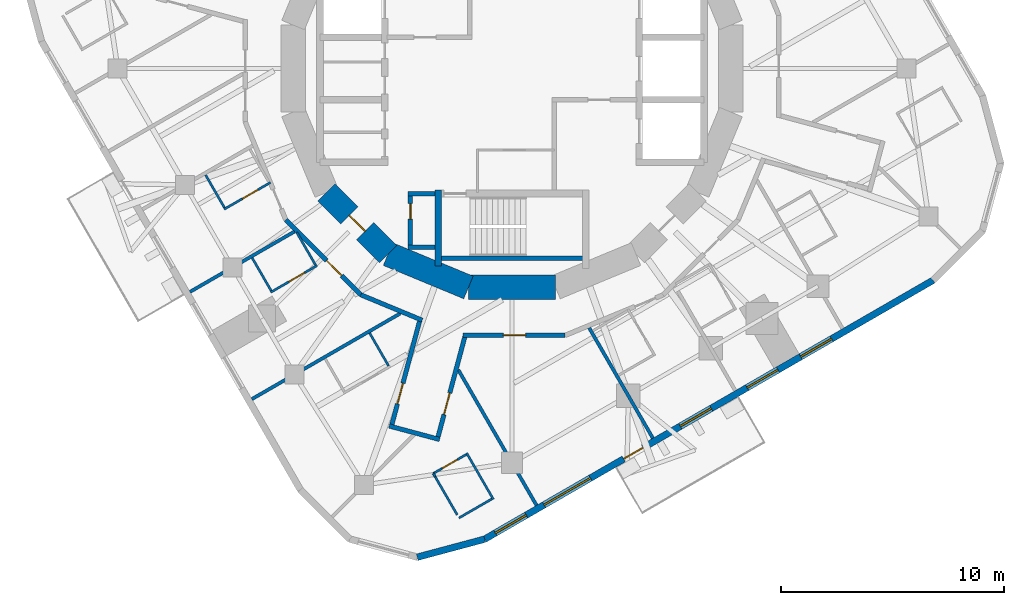
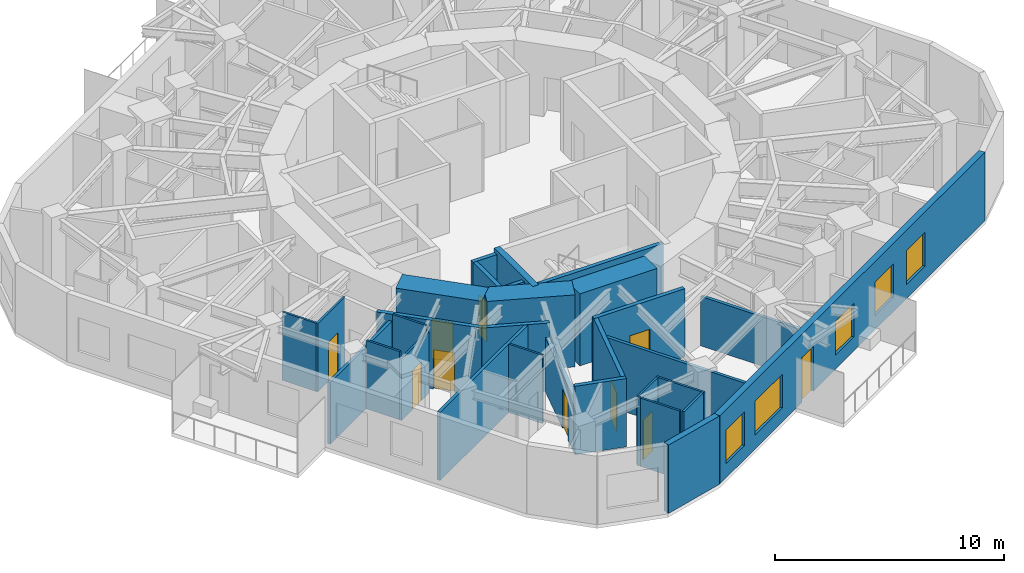
# One storey, part 4 of 11: 31 walls, 10 doors, 5 windows, 15 openings.
"""IFC4 building model written with IfcOpenShell, lengths in metres."""

from ifc_helpers import new_model, si_unit, direction, frame, frame_2d, origin, place, context, subcontext, project, spatial, rectangle, extrude, material, layer, layer_set, type_object, element, fill, save


model = new_model("IFC4")

# Units and contexts
model_context = context("Model", 3, precision=1e-05, world=origin(), true_north=direction((0.0, 1.0)))
body_context = subcontext(model_context, "Body", "Model", "MODEL_VIEW")
ifc_project = project(units=[si_unit("LENGTHUNIT", "METRE"), si_unit("AREAUNIT", "SQUARE_METRE"), si_unit("VOLUMEUNIT", "CUBIC_METRE"), si_unit("PLANEANGLEUNIT", "RADIAN"), si_unit("MASSUNIT", "GRAM", prefix="KILO")], contexts=[model_context])

# Site, building, storey
site_placement = place(None, origin())
site = spatial("IfcSite", under=ifc_project, at=site_placement, CompositionType="ELEMENT")
building_placement = place(site_placement, origin())
building = spatial("IfcBuilding", under=site, at=building_placement, Name="Nakasero Lantern House", CompositionType="ELEMENT")
storey_placement = place(building_placement, frame((0.0, 0.0, 250.050048828125)))
storey = spatial("IfcBuildingStorey", under=building, at=storey_placement, Name="L61", CompositionType="ELEMENT", Elevation=250.050048828125)

# Wall
ifc_material_1 = material(Name="Concrete C50/60", Category="concrete")
ifc_layer_1 = layer(ifc_material_1, 0.300048828125)
ifc_layer_set_1 = layer_set([ifc_layer_1], Name="Core inner wall 300")
wall_type_1 = type_object("IfcWallType", Name="Core inner wall 300", PredefinedType="SHEAR", material=ifc_layer_set_1)
wall_1_placement = place(storey_placement, frame((-3.300048828125, -5.449951171875, 0.0), z_axis=(0.0, 0.0, 1.0), x_axis=(0.0, -1.0, 0.0)))
element("IfcWall", 1, at=wall_1_placement, inside=storey, type_object=wall_type_1, Name="Core inner wall L61 SSW", PredefinedType="SHEAR", context=body_context, shape_type="SweptSolid", body=[
    extrude(rectangle(XDim=3.400146484375, YDim=0.300048828125, at=frame_2d((1.7001953125, 0.0))), origin(), (0.0, 0.0, 1.0), 3.849853515625),
])

# Wall, opening, door
ifc_material_2 = material(Name="Concrete C50/60", Category="concrete")
ifc_layer_2 = layer(ifc_material_2, 1.10009765625)
ifc_layer_set_2 = layer_set([ifc_layer_2], Name="Core wall 1100")
wall_type_2 = type_object("IfcWallType", Name="Core wall 1100", PredefinedType="SHEAR", material=ifc_layer_set_2)
wall_2_placement = place(storey_placement, frame((-8.314697265625, -5.5556640625, 0.0), z_axis=(0.0, 0.0, 1.0), x_axis=(0.707106781187, -0.707106781187, 0.0)))
wall_2 = element("IfcWall", 2, at=wall_2_placement, inside=storey, type_object=wall_type_2, Name="Core wall L61 facet 10", PredefinedType="SHEAR", context=body_context, shape_type="SweptSolid", body=[
    extrude(rectangle(XDim=3.90185546875, YDim=1.10009765625, at=frame_2d((1.950927734375, 0.0))), origin(), (0.0, 0.0, 1.0), 3.849853515625),
])
opening_1_placement = place(wall_2_placement, frame((1.450927734375, 0.0, 0.0)))
opening_1 = element("IfcOpeningElement", 3, at=opening_1_placement, cuts=wall_2, Name="Opening D05", PredefinedType="OPENING", context=body_context, shape_type="SweptSolid", body=[
    extrude(rectangle(XDim=1.0, YDim=2.10009765625, at=frame_2d((0.5, 1.050048828125))), frame((0.0, 0.570068359375, 0.0), z_axis=(0.0, -1.0, 0.0), x_axis=(1.0, 0.0, 0.0)), (0.0, 0.0, 1.0), 1.14013671875),
])
ifc_material_3 = material(Name="Timber C24", Category="wood")
door_type_1 = type_object("IfcDoorType", Name="Core door FD60S 1000", OperationType="SINGLE_SWING_LEFT", PredefinedType="DOOR", material=ifc_material_3)
door_1_placement = place(opening_1_placement, origin())
door_1 = element("IfcDoor", 4, at=door_1_placement, inside=storey, type_object=door_type_1, Name="Door L61 D-CORE10", OperationType="SINGLE_SWING_LEFT", OverallHeight=2.10009765625, OverallWidth=1.0, PredefinedType="DOOR", context=body_context, shape_type="SweptSolid", body=[
    extrude(rectangle(XDim=1.0, YDim=2.10009765625, at=frame_2d((0.5, 1.050048828125))), frame((0.0, 0.02490234375, 0.0), z_axis=(0.0, -1.0, 0.0), x_axis=(1.0, 0.0, 0.0)), (0.0, 0.0, 1.0), 0.050048828125),
])
fill(opening_1, door_1)

# Walls
for number, where, z_axis, x_axis, name in (
    (5, (-5.5556640625, -8.314697265625, 0.0), (0.0, 0.0, 1.0), (0.923876507187, -0.382690736062, 0.0), "Core wall L61 facet 11"),
    (6, (-1.950927734375, -9.807861328125, 0.0), (0.0, 0.0, 1.0), (1.0, 0.0, 0.0), "Core wall L61 facet 12"),
):
    element("IfcWall", number, at=place(storey_placement, frame(where, z_axis=z_axis, x_axis=x_axis)), inside=storey, type_object=wall_type_2, Name=name, PredefinedType="SHEAR", context=body_context, shape_type="SweptSolid", body=[
        extrude(rectangle(XDim=3.90185546875, YDim=1.10009765625, at=frame_2d((1.950927734375, 0.0))), origin(), (0.0, 0.0, 1.0), 3.849853515625),
    ])

# Wall, opening, door
ifc_material_4 = material(Name="Blockwork", Category="masonry")
ifc_layer_3 = layer(ifc_material_4, 0.199951171875)
ifc_layer_set_3 = layer_set([ifc_layer_3], Name="Corridor wall 200")
wall_type_3 = type_object("IfcWallType", Name="Corridor wall 200", PredefinedType="PARTITIONING", material=ifc_layer_set_3)
wall_3_placement = place(storey_placement, frame((2.378662109375, -11.957763671875, 0.0), z_axis=(0.0, 0.0, 1.0), x_axis=(-1.0, 0.0, 0.0)))
wall_3 = element("IfcWall", 7, at=wall_3_placement, inside=storey, type_object=wall_type_3, Name="Corridor wall L61 RC04a", PredefinedType="PARTITIONING", context=body_context, shape_type="SweptSolid", body=[
    extrude(rectangle(XDim=4.57861328125, YDim=0.199951171875, at=frame_2d((2.289306640625, 0.0))), origin(), (0.0, 0.0, 1.0), 3.64990234375),
])
opening_2_placement = place(wall_3_placement, frame((1.77001953125, 0.0, 0.0)))
opening_2 = element("IfcOpeningElement", 8, at=opening_2_placement, cuts=wall_3, Name="Opening D03", PredefinedType="OPENING", context=body_context, shape_type="SweptSolid", body=[
    extrude(rectangle(XDim=1.0, YDim=2.10009765625, at=frame_2d((0.5, 1.050048828125))), frame((0.0, 0.119873046875, 0.0), z_axis=(0.0, -1.0, 0.0), x_axis=(1.0, 0.0, 0.0)), (0.0, 0.0, 1.0), 0.239990234375),
])
ifc_material_5 = material(Name="Timber C24", Category="wood")
door_type_2 = type_object("IfcDoorType", Name="Lounge door FD30S 1000", OperationType="SINGLE_SWING_LEFT", PredefinedType="DOOR", material=ifc_material_5)
door_2_placement = place(opening_2_placement, origin())
door_2 = element("IfcDoor", 9, at=door_2_placement, inside=storey, type_object=door_type_2, Name="Door L61 DK3", OperationType="SINGLE_SWING_LEFT", OverallHeight=2.10009765625, OverallWidth=1.0, PredefinedType="DOOR", context=body_context, shape_type="SweptSolid", body=[
    extrude(rectangle(XDim=1.0, YDim=2.10009765625, at=frame_2d((0.5, 1.050048828125))), frame((0.0, 0.02490234375, 0.0), z_axis=(0.0, -1.0, 0.0), x_axis=(1.0, 0.0, 0.0)), (0.0, 0.0, 1.0), 0.050048828125),
])
fill(opening_2, door_2)

# Wall
wall_4_placement = place(storey_placement, frame((-4.025634765625, -11.275634765625, 0.0), z_axis=(0.0, 0.0, 1.0), x_axis=(-0.923890787601, 0.382656259044, 0.0)))
element("IfcWall", 10, at=wall_4_placement, inside=storey, type_object=wall_type_3, Name="Corridor wall L61 RC05a", PredefinedType="PARTITIONING", context=body_context, shape_type="SweptSolid", body=[
    extrude(rectangle(XDim=2.974365234375, YDim=0.199951171875, at=frame_2d((1.4873046875, 0.0))), origin(), (0.0, 0.0, 1.0), 3.64990234375),
])

# Wall, opening, door
wall_5_placement = place(storey_placement, frame((-6.773681640625, -10.137451171875, 0.0), z_axis=(0.0, 0.0, 1.0), x_axis=(-0.707106781187, 0.707106781187, 0.0)))
wall_5 = element("IfcWall", 11, at=wall_5_placement, inside=storey, type_object=wall_type_3, Name="Corridor wall L61 RC06a", PredefinedType="PARTITIONING", context=body_context, shape_type="SweptSolid", body=[
    extrude(rectangle(XDim=4.757080078125, YDim=0.199951171875, at=frame_2d((2.37841796875, 0.0))), origin(), (0.0, 0.0, 1.0), 3.64990234375),
])
opening_3_placement = place(wall_5_placement, frame((1.219970703125, 0.0, 0.0)))
opening_3 = element("IfcOpeningElement", 12, at=opening_3_placement, cuts=wall_5, Name="Opening D01", PredefinedType="OPENING", context=body_context, shape_type="SweptSolid", body=[
    extrude(rectangle(XDim=0.949951171875, YDim=2.10009765625, at=frame_2d((0.47509765625, 1.050048828125))), frame((0.0, 0.119873046875, 0.0), z_axis=(0.0, -1.0, 0.0), x_axis=(1.0, 0.0, 0.0)), (0.0, 0.0, 1.0), 0.239990234375),
])
ifc_material_6 = material(Name="Timber C24", Category="wood")
door_type_3 = type_object("IfcDoorType", Name="Bedroom door FD30S 950", OperationType="SINGLE_SWING_LEFT", PredefinedType="DOOR", material=ifc_material_6)
door_3_placement = place(opening_3_placement, origin())
door_3 = element("IfcDoor", 13, at=door_3_placement, inside=storey, type_object=door_type_3, Name="Door L61 D2-04", OperationType="SINGLE_SWING_LEFT", OverallHeight=2.10009765625, OverallWidth=0.949951171875, PredefinedType="DOOR", context=body_context, shape_type="SweptSolid", body=[
    extrude(rectangle(XDim=0.949951171875, YDim=2.10009765625, at=frame_2d((0.47509765625, 1.050048828125))), frame((0.0, 0.02490234375, 0.0), z_axis=(0.0, -1.0, 0.0), x_axis=(1.0, 0.0, 0.0)), (0.0, 0.0, 1.0), 0.050048828125),
])
fill(opening_3, door_3)

wall_6_placement = place(storey_placement, frame((-4.11865234375, -11.237060546875, 0.0), z_axis=(0.0, 0.0, 1.0), x_axis=(-0.258827481333, -0.965923565769, 0.0)))
wall_6 = element("IfcWall", 14, at=wall_6_placement, inside=storey, type_object=wall_type_3, Name="Corridor wall L61 SP2a", PredefinedType="PARTITIONING", context=body_context, shape_type="SweptSolid", body=[
    extrude(rectangle(XDim=5.07373046875, YDim=0.199951171875, at=frame_2d((2.536865234375, 0.0))), origin(), (0.0, 0.0, 1.0), 2.8876953125),
])
opening_4_placement = place(wall_6_placement, frame((2.969970703125, 0.0, 0.0)))
opening_4 = element("IfcOpeningElement", 15, at=opening_4_placement, cuts=wall_6, Name="Opening D01", PredefinedType="OPENING", context=body_context, shape_type="SweptSolid", body=[
    extrude(rectangle(XDim=0.949951171875, YDim=2.10009765625, at=frame_2d((0.47509765625, 1.050048828125))), frame((0.0, 0.119873046875, 0.0), z_axis=(0.0, -1.0, 0.0), x_axis=(1.0, 0.0, 0.0)), (0.0, 0.0, 1.0), 0.239990234375),
])
door_4_placement = place(opening_4_placement, origin())
door_4 = element("IfcDoor", 16, at=door_4_placement, inside=storey, type_object=door_type_3, Name="Door L61 D2-06", OperationType="SINGLE_SWING_RIGHT", OverallHeight=2.10009765625, OverallWidth=0.949951171875, PredefinedType="DOOR", context=body_context, shape_type="SweptSolid", body=[
    extrude(rectangle(XDim=0.949951171875, YDim=2.10009765625, at=frame_2d((0.47509765625, 1.050048828125))), frame((0.0, 0.02490234375, 0.0), z_axis=(0.0, -1.0, 0.0), x_axis=(1.0, 0.0, 0.0)), (0.0, 0.0, 1.0), 0.050048828125),
])
fill(opening_4, door_4)

wall_7_placement = place(storey_placement, frame((-2.096435546875, -11.957763671875, 0.0), z_axis=(0.0, 0.0, 1.0), x_axis=(-0.258794186145, -0.965932486884, 0.0)))
wall_7 = element("IfcWall", 17, at=wall_7_placement, inside=storey, type_object=wall_type_3, Name="Corridor wall L61 SP2b", PredefinedType="PARTITIONING", context=body_context, shape_type="SweptSolid", body=[
    extrude(rectangle(XDim=4.90087890625, YDim=0.199951171875, at=frame_2d((2.450439453125, 0.0))), origin(), (0.0, 0.0, 1.0), 3.64990234375),
])
opening_5_placement = place(wall_7_placement, frame((2.669921875, 0.0, 0.0)))
opening_5 = element("IfcOpeningElement", 18, at=opening_5_placement, cuts=wall_7, Name="Opening D07", PredefinedType="OPENING", context=body_context, shape_type="SweptSolid", body=[
    extrude(rectangle(XDim=1.0, YDim=2.10009765625, at=frame_2d((0.5, 1.050048828125))), frame((0.0, 0.119873046875, 0.0), z_axis=(0.0, -1.0, 0.0), x_axis=(1.0, 0.0, 0.0)), (0.0, 0.0, 1.0), 0.239990234375),
])
ifc_material_7 = material(Name="Timber C24", Category="wood")
door_type_4 = type_object("IfcDoorType", Name="Room door FD30S 1000", OperationType="SINGLE_SWING_LEFT", PredefinedType="DOOR", material=ifc_material_7)
door_5_placement = place(opening_5_placement, origin())
door_5 = element("IfcDoor", 19, at=door_5_placement, inside=storey, type_object=door_type_4, Name="Door L61 D3-00", OperationType="SINGLE_SWING_RIGHT", OverallHeight=2.10009765625, OverallWidth=1.0, PredefinedType="DOOR", context=body_context, shape_type="SweptSolid", body=[
    extrude(rectangle(XDim=1.0, YDim=2.10009765625, at=frame_2d((0.5, 1.050048828125))), frame((0.0, 0.02490234375, 0.0), z_axis=(0.0, -1.0, 0.0), x_axis=(1.0, 0.0, 0.0)), (0.0, 0.0, 1.0), 0.050048828125),
])
fill(opening_5, door_5)

# Wall
wall_8_placement = place(storey_placement, frame((-5.502685546875, -16.015380859375, 0.0), z_axis=(0.0, 0.0, 1.0), x_axis=(0.965917312786, -0.258850815837, 0.0)))
element("IfcWall", 20, at=wall_8_placement, inside=storey, type_object=wall_type_3, Name="Corridor wall L61 SP2e", PredefinedType="PARTITIONING", context=body_context, shape_type="SweptSolid", body=[
    extrude(rectangle(XDim=2.340087890625, YDim=0.199951171875, at=frame_2d((1.169921875, 0.0))), origin(), (0.0, 0.0, 1.0), 3.64990234375),
])

# Wall, opening, door
ifc_material_8 = material(Name="Blockwork", Category="masonry")
ifc_layer_4 = layer(ifc_material_8, 0.10009765625)
ifc_layer_set_4 = layer_set([ifc_layer_4], Name="En-suite wall 100")
wall_type_4 = type_object("IfcWallType", Name="En-suite wall 100", PredefinedType="PARTITIONING", material=ifc_layer_set_4)
wall_9_placement = place(storey_placement, frame((-10.822509765625, -5.104736328125, 0.0), z_axis=(0.0, 0.0, 1.0), x_axis=(-0.866024647952, -0.500001309137, 0.0)))
wall_9 = element("IfcWall", 21, at=wall_9_placement, inside=storey, type_object=wall_type_4, Name="En-suite wall L61 ES2-03", PredefinedType="PARTITIONING", context=body_context, shape_type="SweptSolid", body=[
    extrude(rectangle(XDim=2.39990234375, YDim=0.10009765625, at=frame_2d((1.199951171875, 0.0))), origin(), (0.0, 0.0, 1.0), 3.64990234375),
])
opening_6_placement = place(wall_9_placement, frame((0.64990234375, 0.0, 0.0)))
opening_6 = element("IfcOpeningElement", 22, at=opening_6_placement, cuts=wall_9, Name="Opening D02", PredefinedType="OPENING", context=body_context, shape_type="SweptSolid", body=[
    extrude(rectangle(XDim=0.800048828125, YDim=2.10009765625, at=frame_2d((0.39990234375, 1.050048828125))), frame((0.0, 0.070068359375, 0.0), z_axis=(0.0, -1.0, 0.0), x_axis=(1.0, 0.0, 0.0)), (0.0, 0.0, 1.0), 0.14013671875),
])
ifc_material_9 = material(Name="Timber C24", Category="wood")
door_type_5 = type_object("IfcDoorType", Name="En-suite door 800", OperationType="SINGLE_SWING_RIGHT", PredefinedType="DOOR", material=ifc_material_9)
door_6_placement = place(opening_6_placement, origin())
door_6 = element("IfcDoor", 23, at=door_6_placement, inside=storey, type_object=door_type_5, Name="Door L61 DE2-03", OperationType="SINGLE_SWING_LEFT", OverallHeight=2.10009765625, OverallWidth=0.800048828125, PredefinedType="DOOR", context=body_context, shape_type="SweptSolid", body=[
    extrude(rectangle(XDim=0.800048828125, YDim=2.10009765625, at=frame_2d((0.39990234375, 1.050048828125))), frame((0.0, 0.02490234375, 0.0), z_axis=(0.0, -1.0, 0.0), x_axis=(1.0, 0.0, 0.0)), (0.0, 0.0, 1.0), 0.050048828125),
])
fill(opening_6, door_6)

# Wall
wall_10_placement = place(storey_placement, frame((-13.732666015625, -4.76416015625, 0.0), z_axis=(0.0, 0.0, 1.0), x_axis=(0.500062241894, -0.865989465428, 0.0)))
element("IfcWall", 24, at=wall_10_placement, inside=storey, type_object=wall_type_4, Name="En-suite wall L61 EE2-03", PredefinedType="PARTITIONING", context=body_context, shape_type="SweptSolid", body=[
    extrude(rectangle(XDim=1.699951171875, YDim=0.10009765625, at=frame_2d((0.85009765625, 0.0))), origin(), (0.0, 0.0, 1.0), 3.64990234375),
])

# Wall, opening, door
wall_11_placement = place(storey_placement, frame((-8.732177734375, -8.82421875, 0.0), z_axis=(0.0, 0.0, 1.0), x_axis=(-0.866024647952, -0.500001309137, 0.0)))
wall_11 = element("IfcWall", 25, at=wall_11_placement, inside=storey, type_object=wall_type_4, Name="En-suite wall L61 ES2-04", PredefinedType="PARTITIONING", context=body_context, shape_type="SweptSolid", body=[
    extrude(rectangle(XDim=2.39990234375, YDim=0.10009765625, at=frame_2d((1.199951171875, 0.0))), origin(), (0.0, 0.0, 1.0), 3.294921875),
])
opening_7_placement = place(wall_11_placement, frame((0.64990234375, 0.0, 0.0)))
opening_7 = element("IfcOpeningElement", 26, at=opening_7_placement, cuts=wall_11, Name="Opening D02", PredefinedType="OPENING", context=body_context, shape_type="SweptSolid", body=[
    extrude(rectangle(XDim=0.800048828125, YDim=2.10009765625, at=frame_2d((0.39990234375, 1.050048828125))), frame((0.0, 0.070068359375, 0.0), z_axis=(0.0, -1.0, 0.0), x_axis=(1.0, 0.0, 0.0)), (0.0, 0.0, 1.0), 0.14013671875),
])
door_7_placement = place(opening_7_placement, origin())
door_7 = element("IfcDoor", 27, at=door_7_placement, inside=storey, type_object=door_type_5, Name="Door L61 DE2-04", OperationType="SINGLE_SWING_LEFT", OverallHeight=2.10009765625, OverallWidth=0.800048828125, PredefinedType="DOOR", context=body_context, shape_type="SweptSolid", body=[
    extrude(rectangle(XDim=0.800048828125, YDim=2.10009765625, at=frame_2d((0.39990234375, 1.050048828125))), frame((0.0, 0.02490234375, 0.0), z_axis=(0.0, -1.0, 0.0), x_axis=(1.0, 0.0, 0.0)), (0.0, 0.0, 1.0), 0.050048828125),
])
fill(opening_7, door_7)

# Walls
for number, where, z_axis, x_axis, name in (
    (28, (-11.642333984375, -8.483642578125, 0.0), (0.0, 0.0, 1.0), (0.500062241894, -0.865989465428, 0.0), "En-suite wall L61 EE2-04"),
    (29, (-9.650390625, -7.333740234375, 0.0), (0.0, 0.0, 1.0), (0.499954529098, -0.86605165483, 0.0), "En-suite wall L61 EI2-04"),
    (30, (-6.37890625, -11.8515625, 0.0), (0.0, 0.0, 1.0), (0.500062241894, -0.865989465428, 0.0), "En-suite wall L61 EI2-06"),
):
    element("IfcWall", number, at=place(storey_placement, frame(where, z_axis=z_axis, x_axis=x_axis)), inside=storey, type_object=wall_type_4, Name=name, PredefinedType="PARTITIONING", context=body_context, shape_type="SweptSolid", body=[
        extrude(rectangle(XDim=1.699951171875, YDim=0.10009765625, at=frame_2d((0.85009765625, 0.0))), origin(), (0.0, 0.0, 1.0), 3.64990234375),
    ])
wall_12_placement = place(storey_placement, frame((-2.034912109375, -17.225341796875, 0.0), z_axis=(0.0, 0.0, 1.0), x_axis=(0.500001309137, -0.866024647952, 0.0)))
element("IfcWall", 31, at=wall_12_placement, inside=storey, type_object=wall_type_4, Name="En-suite wall L61 ES3-00", PredefinedType="PARTITIONING", context=body_context, shape_type="SweptSolid", body=[
    extrude(rectangle(XDim=2.39990234375, YDim=0.10009765625, at=frame_2d((1.199951171875, 0.0))), origin(), (0.0, 0.0, 1.0), 3.64990234375),
])
wall_13_placement = place(storey_placement, frame((-2.37548828125, -20.135498046875, 0.0), z_axis=(0.0, 0.0, 1.0), x_axis=(0.865989465428, 0.500062241894, 0.0)))
element("IfcWall", 32, at=wall_13_placement, inside=storey, type_object=wall_type_4, Name="En-suite wall L61 EE3-00", PredefinedType="PARTITIONING", context=body_context, shape_type="SweptSolid", body=[
    extrude(rectangle(XDim=1.699951171875, YDim=0.10009765625, at=frame_2d((0.85009765625, 0.0))), origin(), (0.0, 0.0, 1.0), 3.64990234375),
])

# Wall, opening, door
wall_14_placement = place(storey_placement, frame((-3.525634765625, -18.1435546875, 0.0), z_axis=(0.0, 0.0, 1.0), x_axis=(0.866025371046, 0.500000056704, 0.0)))
wall_14 = element("IfcWall", 33, at=wall_14_placement, inside=storey, type_object=wall_type_4, Name="En-suite wall L61 EI3-00", PredefinedType="PARTITIONING", context=body_context, shape_type="SweptSolid", body=[
    extrude(rectangle(XDim=1.7001953125, YDim=0.10009765625, at=frame_2d((0.85009765625, 0.0))), origin(), (0.0, 0.0, 1.0), 3.64990234375),
])
opening_8_placement = place(wall_14_placement, frame((0.449951171875, 0.0, 0.0)))
opening_8 = element("IfcOpeningElement", 34, at=opening_8_placement, cuts=wall_14, Name="Opening D15", PredefinedType="OPENING", context=body_context, shape_type="SweptSolid", body=[
    extrude(rectangle(XDim=0.800048828125, YDim=2.10009765625, at=frame_2d((0.39990234375, 1.050048828125))), frame((0.0, 0.070068359375, 0.0), z_axis=(0.0, -1.0, 0.0), x_axis=(1.0, 0.0, 0.0)), (0.0, 0.0, 1.0), 0.14013671875),
])
ifc_material_10 = material(Name="Timber C24", Category="wood")
door_type_6 = type_object("IfcDoorType", Name="Cleaner's store door FD30S 800", OperationType="SINGLE_SWING_LEFT", PredefinedType="DOOR", material=ifc_material_10)
door_8_placement = place(opening_8_placement, origin())
door_8 = element("IfcDoor", 35, at=door_8_placement, inside=storey, type_object=door_type_6, Name="Door L61 DE3-00", OperationType="SINGLE_SWING_RIGHT", OverallHeight=2.10009765625, OverallWidth=0.800048828125, PredefinedType="DOOR", context=body_context, shape_type="SweptSolid", body=[
    extrude(rectangle(XDim=0.800048828125, YDim=2.10009765625, at=frame_2d((0.39990234375, 1.050048828125))), frame((0.0, 0.02490234375, 0.0), z_axis=(0.0, -1.0, 0.0), x_axis=(1.0, 0.0, 0.0)), (0.0, 0.0, 1.0), 0.050048828125),
])
fill(opening_8, door_8)

# Walls
wall_15_placement = place(storey_placement, frame((-3.445556640625, -18.2822265625, 0.0), z_axis=(0.0, 0.0, 1.0), x_axis=(0.500024883228, -0.866011036969, 0.0)))
element("IfcWall", 36, at=wall_15_placement, inside=storey, type_object=wall_type_4, Name="En-suite wall L61 EX003", PredefinedType="PARTITIONING", context=body_context, shape_type="SweptSolid", body=[
    extrude(rectangle(XDim=1.97998046875, YDim=0.10009765625, at=frame_2d((0.989990234375, 0.0))), origin(), (0.0, 0.0, 1.0), 3.64990234375),
])
wall_16_placement = place(storey_placement, frame((-3.525634765625, -18.1435546875, 0.0), z_axis=(0.0, 0.0, 1.0), x_axis=(0.500074377092, -0.865982457891, 0.0)))
element("IfcWall", 37, at=wall_16_placement, inside=storey, type_object=wall_type_4, Name="En-suite wall L61 EI3-00R0", PredefinedType="PARTITIONING", context=body_context, shape_type="SweptSolid", body=[
    extrude(rectangle(XDim=0.16015625, YDim=0.10009765625, at=frame_2d((0.080078125, 0.0))), origin(), (0.0, 0.0, 1.0), 3.64990234375),
])
ifc_material_11 = material(Name="Aluminium rainscreen on blockwork", Category="masonry")
ifc_layer_5 = layer(ifc_material_11, 0.300048828125)
ifc_layer_set_5 = layer_set([ifc_layer_5], Name="Facade wall 300")
wall_type_5 = type_object("IfcWallType", Name="Facade wall 300", PredefinedType="SOLIDWALL", material=ifc_layer_set_5)
wall_17_placement = place(storey_placement, frame((-4.245849609375, -21.89599609375, 0.0), z_axis=(0.0, 0.0, 1.0), x_axis=(0.96592369199, 0.258827010283, 0.0)))
element("IfcWall", 38, at=wall_17_placement, inside=storey, type_object=wall_type_5, Name="Facade wall L61 FW2C3", PredefinedType="SOLIDWALL", context=body_context, shape_type="SweptSolid", body=[
    extrude(rectangle(XDim=3.131591796875, YDim=0.300048828125, at=frame_2d((1.56591796875, 0.0))), origin(), (0.0, 0.0, 1.0), 3.64990234375),
])

# Wall, openings, door, windows
wall_18_placement = place(storey_placement, frame((-1.220947265625, -21.08544921875, 0.0), z_axis=(0.0, 0.0, 1.0), x_axis=(0.86602366199, 0.500003016864, 0.0)))
wall_18 = element("IfcWall", 39, at=wall_18_placement, inside=storey, type_object=wall_type_5, Name="Facade wall L61 FW3S", PredefinedType="SOLIDWALL", context=body_context, shape_type="SweptSolid", body=[
    extrude(rectangle(XDim=23.199951171875, YDim=0.300048828125, at=frame_2d((11.60009765625, 0.0))), origin(), (0.0, 0.0, 1.0), 3.64990234375),
])
opening_9_placement = place(wall_18_placement, frame((0.5458984375, 0.0, 0.75)))
opening_9 = element("IfcOpeningElement", 40, at=opening_9_placement, cuts=wall_18, Name="Opening W01", PredefinedType="OPENING", context=body_context, shape_type="SweptSolid", body=[
    extrude(rectangle(XDim=1.60009765625, YDim=1.800048828125, at=frame_2d((0.800048828125, 0.89990234375))), frame((0.0, 0.169921875, 0.0), z_axis=(0.0, -1.0, 0.0), x_axis=(1.0, 0.0, 0.0)), (0.0, 0.0, 1.0), 0.340087890625),
])
opening_10_placement = place(wall_18_placement, frame((10.11767578125, 0.0, 0.75)))
opening_10 = element("IfcOpeningElement", 41, at=opening_10_placement, cuts=wall_18, Name="Opening W01", PredefinedType="OPENING", context=body_context, shape_type="SweptSolid", body=[
    extrude(rectangle(XDim=1.60009765625, YDim=1.800048828125, at=frame_2d((0.800048828125, 0.89990234375))), frame((0.0, 0.169921875, 0.0), z_axis=(0.0, -1.0, 0.0), x_axis=(1.0, 0.0, 0.0)), (0.0, 0.0, 1.0), 0.340087890625),
])
opening_11_placement = place(wall_18_placement, frame((13.5751953125, 0.0, 0.75)))
opening_11 = element("IfcOpeningElement", 42, at=opening_11_placement, cuts=wall_18, Name="Opening W01", PredefinedType="OPENING", context=body_context, shape_type="SweptSolid", body=[
    extrude(rectangle(XDim=1.60009765625, YDim=1.800048828125, at=frame_2d((0.800048828125, 0.89990234375))), frame((0.0, 0.169921875, 0.0), z_axis=(0.0, -1.0, 0.0), x_axis=(1.0, 0.0, 0.0)), (0.0, 0.0, 1.0), 0.340087890625),
])
opening_12_placement = place(wall_18_placement, frame((16.349609375, 0.0, 0.75)))
opening_12 = element("IfcOpeningElement", 43, at=opening_12_placement, cuts=wall_18, Name="Opening W01", PredefinedType="OPENING", context=body_context, shape_type="SweptSolid", body=[
    extrude(rectangle(XDim=1.60009765625, YDim=1.800048828125, at=frame_2d((0.800048828125, 0.89990234375))), frame((0.0, 0.169921875, 0.0), z_axis=(0.0, -1.0, 0.0), x_axis=(1.0, 0.0, 0.0)), (0.0, 0.0, 1.0), 0.340087890625),
])
opening_13_placement = place(wall_18_placement, frame((3.071044921875, 0.0, 0.75)))
opening_13 = element("IfcOpeningElement", 44, at=opening_13_placement, cuts=wall_18, Name="Opening W03", PredefinedType="OPENING", context=body_context, shape_type="SweptSolid", body=[
    extrude(rectangle(XDim=2.39990234375, YDim=1.800048828125, at=frame_2d((1.199951171875, 0.89990234375))), frame((0.0, 0.169921875, 0.0), z_axis=(0.0, -1.0, 0.0), x_axis=(1.0, 0.0, 0.0)), (0.0, 0.0, 1.0), 0.340087890625),
])
opening_14_placement = place(wall_18_placement, frame((7.1904296875, 0.0, 0.0)))
opening_14 = element("IfcOpeningElement", 45, at=opening_14_placement, cuts=wall_18, Name="Opening D04", PredefinedType="OPENING", context=body_context, shape_type="SweptSolid", body=[
    extrude(rectangle(XDim=1.0, YDim=2.39990234375, at=frame_2d((0.5, 1.199951171875))), frame((0.0, 0.169921875, 0.0), z_axis=(0.0, -1.0, 0.0), x_axis=(1.0, 0.0, 0.0)), (0.0, 0.0, 1.0), 0.340087890625),
])
ifc_material_12 = material(Name="Aluminium 6063-T6 and glass", Category="aluminium")
door_type_7 = type_object("IfcDoorType", Name="Balcony door 1000x2400", OperationType="SINGLE_SWING_RIGHT", PredefinedType="DOOR", material=ifc_material_12)
door_9_placement = place(opening_14_placement, origin())
door_9 = element("IfcDoor", 46, at=door_9_placement, inside=storey, type_object=door_type_7, Name="Balcony door L61 DB3", OperationType="SINGLE_SWING_RIGHT", OverallHeight=2.39990234375, OverallWidth=1.0, PredefinedType="DOOR", context=body_context, shape_type="SweptSolid", body=[
    extrude(rectangle(XDim=1.0, YDim=2.39990234375, at=frame_2d((0.5, 1.199951171875))), frame((0.0, 0.02490234375, 0.0), z_axis=(0.0, -1.0, 0.0), x_axis=(1.0, 0.0, 0.0)), (0.0, 0.0, 1.0), 0.050048828125),
])
fill(opening_14, door_9)
ifc_material_13 = material(Name="Aluminium 6063-T6 and glass", Category="aluminium")
window_type_1 = type_object("IfcWindowType", Name="Bedroom window 1600x1800", PartitioningType="SINGLE_PANEL", PredefinedType="WINDOW", material=ifc_material_13)
window_1_placement = place(opening_9_placement, origin())
window_1 = element("IfcWindow", 47, at=window_1_placement, inside=storey, type_object=window_type_1, Name="Window L61 WN3-00", OverallHeight=1.800048828125, OverallWidth=1.60009765625, PartitioningType="SINGLE_PANEL", PredefinedType="WINDOW", context=body_context, shape_type="SweptSolid", body=[
    extrude(rectangle(XDim=1.60009765625, YDim=1.800048828125, at=frame_2d((0.800048828125, 0.89990234375))), frame((0.0, 0.030029296875, 0.0), z_axis=(0.0, -1.0, 0.0), x_axis=(1.0, 0.0, 0.0)), (0.0, 0.0, 1.0), 0.06005859375),
])
fill(opening_9, window_1)
window_2_placement = place(opening_10_placement, origin())
window_2 = element("IfcWindow", 48, at=window_2_placement, inside=storey, type_object=window_type_1, Name="Window L61 WN3-03", OverallHeight=1.800048828125, OverallWidth=1.60009765625, PartitioningType="SINGLE_PANEL", PredefinedType="WINDOW", context=body_context, shape_type="SweptSolid", body=[
    extrude(rectangle(XDim=1.60009765625, YDim=1.800048828125, at=frame_2d((0.800048828125, 0.89990234375))), frame((0.0, 0.030029296875, 0.0), z_axis=(0.0, -1.0, 0.0), x_axis=(1.0, 0.0, 0.0)), (0.0, 0.0, 1.0), 0.06005859375),
])
fill(opening_10, window_2)
window_3_placement = place(opening_11_placement, origin())
window_3 = element("IfcWindow", 49, at=window_3_placement, inside=storey, type_object=window_type_1, Name="Window L61 WN3-04", OverallHeight=1.800048828125, OverallWidth=1.60009765625, PartitioningType="SINGLE_PANEL", PredefinedType="WINDOW", context=body_context, shape_type="SweptSolid", body=[
    extrude(rectangle(XDim=1.60009765625, YDim=1.800048828125, at=frame_2d((0.800048828125, 0.89990234375))), frame((0.0, 0.030029296875, 0.0), z_axis=(0.0, -1.0, 0.0), x_axis=(1.0, 0.0, 0.0)), (0.0, 0.0, 1.0), 0.06005859375),
])
fill(opening_11, window_3)
window_4_placement = place(opening_12_placement, origin())
window_4 = element("IfcWindow", 50, at=window_4_placement, inside=storey, type_object=window_type_1, Name="Window L61 WN3-05", OverallHeight=1.800048828125, OverallWidth=1.60009765625, PartitioningType="SINGLE_PANEL", PredefinedType="WINDOW", context=body_context, shape_type="SweptSolid", body=[
    extrude(rectangle(XDim=1.60009765625, YDim=1.800048828125, at=frame_2d((0.800048828125, 0.89990234375))), frame((0.0, 0.030029296875, 0.0), z_axis=(0.0, -1.0, 0.0), x_axis=(1.0, 0.0, 0.0)), (0.0, 0.0, 1.0), 0.06005859375),
])
fill(opening_12, window_4)
ifc_material_14 = material(Name="Aluminium 6063-T6 and glass", Category="aluminium")
window_type_2 = type_object("IfcWindowType", Name="Lounge window 2400x1800", PartitioningType="SINGLE_PANEL", PredefinedType="WINDOW", material=ifc_material_14)
window_5_placement = place(opening_13_placement, origin())
window_5 = element("IfcWindow", 51, at=window_5_placement, inside=storey, type_object=window_type_2, Name="Window L61 WK3", OverallHeight=1.800048828125, OverallWidth=2.39990234375, PartitioningType="SINGLE_PANEL", PredefinedType="WINDOW", context=body_context, shape_type="SweptSolid", body=[
    extrude(rectangle(XDim=2.39990234375, YDim=1.800048828125, at=frame_2d((1.199951171875, 0.89990234375))), frame((0.0, 0.030029296875, 0.0), z_axis=(0.0, -1.0, 0.0), x_axis=(1.0, 0.0, 0.0)), (0.0, 0.0, 1.0), 0.06005859375),
])
fill(opening_13, window_5)

# Wall, opening, door
ifc_material_15 = material(Name="Blockwork", Category="masonry")
ifc_layer_6 = layer(ifc_material_15, 0.199951171875)
ifc_layer_set_6 = layer_set([ifc_layer_6], Name="Fire lobby wall 200")
wall_type_6 = type_object("IfcWallType", Name="Fire lobby wall 200", PredefinedType="PARTITIONING", material=ifc_layer_set_6)
wall_19_placement = place(storey_placement, frame((-4.550048828125, -5.60009765625, 0.0), z_axis=(0.0, 0.0, 1.0), x_axis=(0.0, -1.0, 0.0)))
wall_19 = element("IfcWall", 52, at=wall_19_placement, inside=storey, type_object=wall_type_6, Name="Fire lobby wall L61 W-RS2W", PredefinedType="PARTITIONING", context=body_context, shape_type="SweptSolid", body=[
    extrude(rectangle(XDim=2.39990234375, YDim=0.199951171875, at=frame_2d((1.199951171875, 0.0))), origin(), (0.0, 0.0, 1.0), 3.64990234375),
])
opening_15_placement = place(wall_19_placement, frame((0.449951171875, 0.0, 0.0)))
opening_15 = element("IfcOpeningElement", 53, at=opening_15_placement, cuts=wall_19, Name="Opening D06", PredefinedType="OPENING", context=body_context, shape_type="SweptSolid", body=[
    extrude(rectangle(XDim=0.699951171875, YDim=2.10009765625, at=frame_2d((0.35009765625, 1.050048828125))), frame((0.0, 0.119873046875, 0.0), z_axis=(0.0, -1.0, 0.0), x_axis=(1.0, 0.0, 0.0)), (0.0, 0.0, 1.0), 0.239990234375),
])
ifc_material_16 = material(Name="Steel S355", Category="steel")
door_type_8 = type_object("IfcDoorType", Name="Riser door FD60 700", OperationType="SINGLE_SWING_LEFT", PredefinedType="DOOR", material=ifc_material_16)
door_10_placement = place(opening_15_placement, origin())
door_10 = element("IfcDoor", 54, at=door_10_placement, inside=storey, type_object=door_type_8, Name="Door L61 D-RS2", OperationType="SINGLE_SWING_LEFT", OverallHeight=2.10009765625, OverallWidth=0.699951171875, PredefinedType="DOOR", context=body_context, shape_type="SweptSolid", body=[
    extrude(rectangle(XDim=0.699951171875, YDim=2.10009765625, at=frame_2d((0.35009765625, 1.050048828125))), frame((0.0, 0.02490234375, 0.0), z_axis=(0.0, -1.0, 0.0), x_axis=(1.0, 0.0, 0.0)), (0.0, 0.0, 1.0), 0.050048828125),
])
fill(opening_15, door_10)

# Walls
for number, where, z_axis, x_axis, name in (
    (55, (-3.449951171875, -8.0, 0.0), (0.0, 0.0, 1.0), (-1.0, 0.0, 0.0), "Fire lobby wall L61 W-RS2S"),
    (56, (-3.449951171875, -5.60009765625, 0.0), (0.0, 0.0, 1.0), (-1.0, 0.0, 0.0), "Fire lobby wall L61 W-RS2N"),
):
    element("IfcWall", number, at=place(storey_placement, frame(where, z_axis=z_axis, x_axis=x_axis)), inside=storey, type_object=wall_type_6, Name=name, PredefinedType="PARTITIONING", context=body_context, shape_type="SweptSolid", body=[
        extrude(rectangle(XDim=1.199951171875, YDim=0.199951171875, at=frame_2d((0.60009765625, 0.0))), origin(), (0.0, 0.0, 1.0), 3.64990234375),
    ])
wall_20_placement = place(storey_placement, frame((-3.300048828125, -8.5, 0.0), z_axis=(0.0, 0.0, 1.0), x_axis=(1.0, 0.0, 0.0)))
element("IfcWall", 57, at=wall_20_placement, inside=storey, type_object=wall_type_6, Name="Fire lobby wall L61 W-STS", PredefinedType="PARTITIONING", context=body_context, shape_type="SweptSolid", body=[
    extrude(rectangle(XDim=6.60009765625, YDim=0.199951171875, at=frame_2d((3.300048828125, 0.0))), origin(), (0.0, 0.0, 1.0), 3.64990234375),
])
ifc_material_17 = material(Name="Blockwork", Category="masonry")
ifc_layer_7 = layer(ifc_material_17, 0.14990234375)
ifc_layer_set_7 = layer_set([ifc_layer_7], Name="Party wall 150")
wall_type_7 = type_object("IfcWallType", Name="Party wall 150", PredefinedType="PARTITIONING", material=ifc_layer_set_7)
wall_21_placement = place(storey_placement, frame((-9.748779296875, -7.3037109375, 0.0), z_axis=(0.0, 0.0, 1.0), x_axis=(-0.86600807666, -0.500030010259, 0.0)))
element("IfcWall", 58, at=wall_21_placement, inside=storey, type_object=wall_type_7, Name="Party wall L61 PW2-04", PredefinedType="PARTITIONING", context=body_context, shape_type="SweptSolid", body=[
    extrude(rectangle(XDim=5.405517578125, YDim=0.14990234375, at=frame_2d((2.70263671875, 0.0))), origin(), (0.0, 0.0, 1.0), 3.294921875),
])
wall_22_placement = place(storey_placement, frame((-5.011474609375, -10.9755859375, 0.0), z_axis=(0.0, 0.0, 1.0), x_axis=(-0.866033500054, -0.499985976588, 0.0)))
element("IfcWall", 59, at=wall_22_placement, inside=storey, type_object=wall_type_7, Name="Party wall L61 PW2-06", PredefinedType="PARTITIONING", context=body_context, shape_type="SweptSolid", body=[
    extrude(rectangle(XDim=7.672119140625, YDim=0.14990234375, at=frame_2d((3.8359375, 0.0))), origin(), (0.0, 0.0, 1.0), 3.64990234375),
])
wall_23_placement = place(storey_placement, frame((-2.406005859375, -13.499755859375, 0.0), z_axis=(0.0, 0.0, 1.0), x_axis=(0.500014799677, -0.866016859018, 0.0)))
element("IfcWall", 60, at=wall_23_placement, inside=storey, type_object=wall_type_7, Name="Party wall L61 PW3-01", PredefinedType="PARTITIONING", context=body_context, shape_type="SweptSolid", body=[
    extrude(rectangle(XDim=7.011962890625, YDim=0.14990234375, at=frame_2d((3.505859375, 0.0))), origin(), (0.0, 0.0, 1.0), 3.64990234375),
])
wall_24_placement = place(storey_placement, frame((3.457275390625, -11.619140625, 0.0), z_axis=(0.0, 0.0, 1.0), x_axis=(0.500002556202, -0.866023927955, 0.0)))
element("IfcWall", 61, at=wall_24_placement, inside=storey, type_object=wall_type_7, Name="Party wall L61 PW3-03", PredefinedType="PARTITIONING", context=body_context, shape_type="SweptSolid", body=[
    extrude(rectangle(XDim=5.708984375, YDim=0.14990234375, at=frame_2d((2.8544921875, 0.0))), origin(), (0.0, 0.0, 1.0), 2.641845703125),
])

save(model, "model.ifc")
